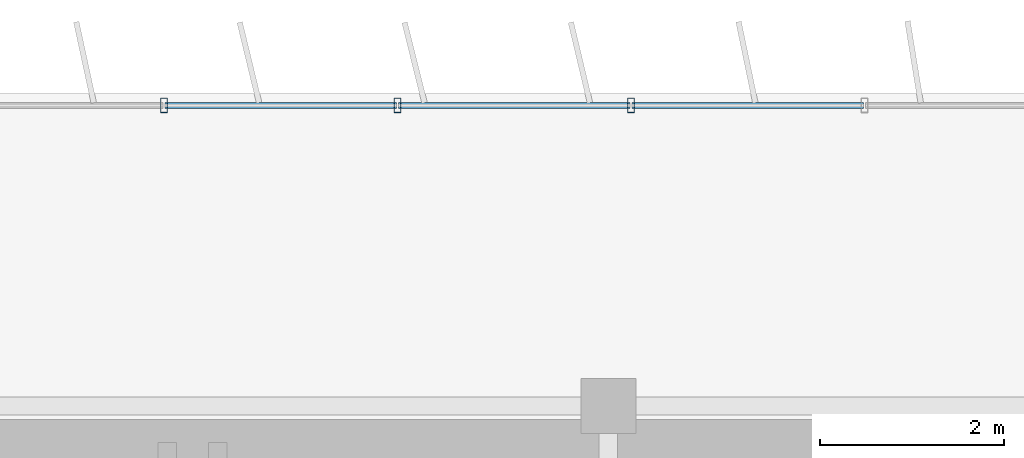
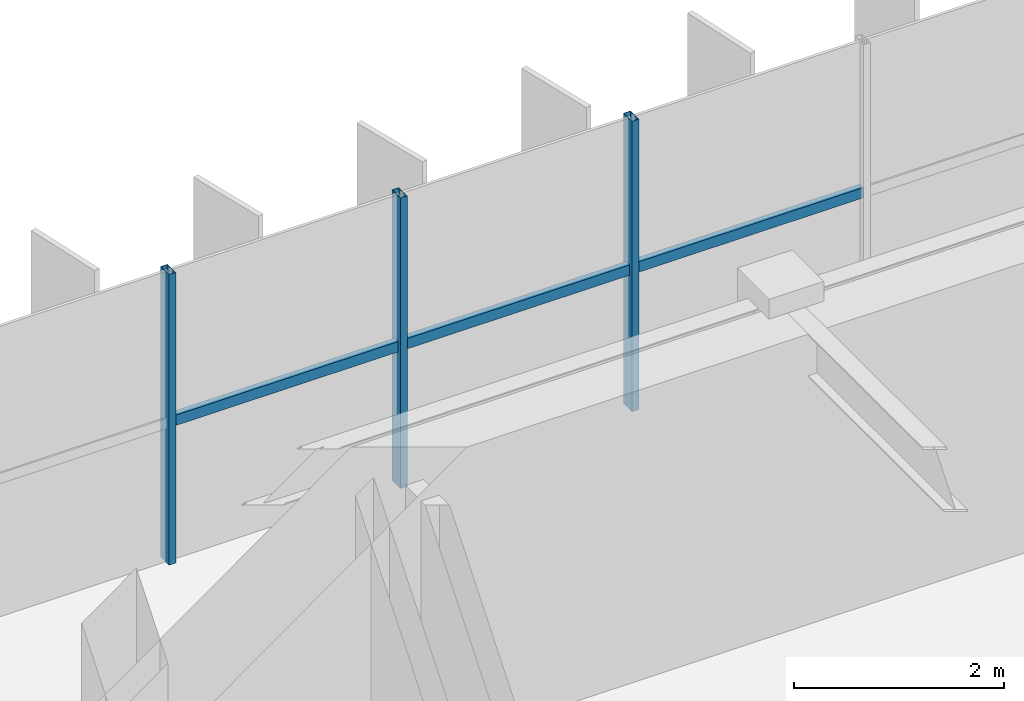
# One storey, part 8 of 22: 6 members, 1 element without a shape of its own.
"""IFC4 building model written with IfcOpenShell, lengths in metres."""

import ifcopenshell
import ifcopenshell.guid

model = None  # the IFC model being written
_history = None  # IfcOwnerHistory: only IFC2X3 demands one
_inside = {}  # id of a spatial element -> (the spatial element, [elements in it])
_under = {}  # id of a project, library or spatial element -> (it, [spatial elements below it])
_declared = {}  # id of a project -> (the project, [libraries it declares])
_typed = {}  # id of a type object -> (the type object, [elements of that type])
_made_of = {}  # id of a material, layer set ... -> (it, [elements and type objects made of it])


def new_model(schema):
    """Start an empty IFC model of exactly this schema.

    Asked for "IFC4X3", IfcOpenShell would pick the latest addendum, in which some entities
    have other attributes; the version numbers below select the first issue.
    IFC2X3 requires an IfcOwnerHistory on every rooted entity: one is made here for all.
    """
    global model, _history
    if schema == "IFC4X3":
        model = ifcopenshell.file(schema_version=(4, 3, 0, 0))
    else:
        model = ifcopenshell.file(schema=schema)
    _inside.clear()
    _under.clear()
    _declared.clear()
    _typed.clear()
    _made_of.clear()
    _history = None
    if model.schema == "IFC2X3":
        org = make("IfcOrganization", Name="unknown")
        user = make(
            "IfcPersonAndOrganization",
            ThePerson=make("IfcPerson", FamilyName="unknown"),
            TheOrganization=org,
        )
        app = make(
            "IfcApplication",
            ApplicationDeveloper=org,
            Version="unknown",
            ApplicationFullName="unknown",
            ApplicationIdentifier="unknown",
        )
        _history = make(
            "IfcOwnerHistory",
            OwningUser=user,
            OwningApplication=app,
            ChangeAction="ADDED",
            CreationDate=0,
        )
    return model


def make(cls, **values):
    """One entity of the class cls with the attributes given. An attribute that is None is left unset."""
    return model.create_entity(
        cls, **{name: value for name, value in values.items() if value is not None}
    )


def rooted(cls, **values):
    """An entity with a GlobalId (a new one), such as an element, a storey or a relation."""
    return make(cls, GlobalId=ifcopenshell.guid.new(), OwnerHistory=_history, **values)


def si_unit(unit_type, name, prefix=None):
    """IfcSIUnit, for example si_unit("LENGTHUNIT", "METRE", prefix="MILLI")."""
    return make("IfcSIUnit", UnitType=unit_type, Prefix=prefix, Name=name)


def assignment(units):
    """IfcUnitAssignment: the units of a project."""
    return None if units is None else make("IfcUnitAssignment", Units=units)


def point(xyz):
    """IfcCartesianPoint."""
    return None if xyz is None else make("IfcCartesianPoint", Coordinates=xyz)


def direction(xyz):
    """IfcDirection."""
    return None if xyz is None else make("IfcDirection", DirectionRatios=xyz)


def frame(location, z_axis=None, x_axis=None):
    """IfcAxis2Placement3D, a coordinate frame: its origin and axes. An axis left out is left unset."""
    return make(
        "IfcAxis2Placement3D",
        Location=point(location),
        Axis=direction(z_axis),
        RefDirection=direction(x_axis),
    )


def frame_2d(location, x_axis=None):
    """IfcAxis2Placement2D, a coordinate frame in the plane: its origin and x axis."""
    return make(
        "IfcAxis2Placement2D", Location=point(location), RefDirection=direction(x_axis)
    )


def origin():
    """The frame at (0, 0, 0) with its axes left unset."""
    return frame((0.0, 0.0, 0.0))


def origin_2d():
    """The frame at (0, 0) in the plane with its x axis left unset."""
    return frame_2d((0.0, 0.0))


def place(relative_to, where):
    """IfcLocalPlacement: puts the frame where relative to a parent placement (None: the world)."""
    return make(
        "IfcLocalPlacement", PlacementRelTo=relative_to, RelativePlacement=where
    )


def context(
    kind, dimensions, precision=None, world=None, true_north=None, identifier=None
):
    """IfcGeometricRepresentationContext, for example the 3D "Model" context."""
    return make(
        "IfcGeometricRepresentationContext",
        ContextIdentifier=identifier,
        ContextType=kind,
        CoordinateSpaceDimension=dimensions,
        Precision=precision,
        WorldCoordinateSystem=world,
        TrueNorth=true_north,
    )


def subcontext(parent, identifier, kind, view, scale=None):
    """IfcGeometricRepresentationSubContext, for example "Body" below "Model"."""
    return make(
        "IfcGeometricRepresentationSubContext",
        ContextIdentifier=identifier,
        ContextType=kind,
        ParentContext=parent,
        TargetScale=scale,
        TargetView=view,
    )


def project(units=None, contexts=None):
    """IfcProject with its units and contexts."""
    return rooted(
        "IfcProject",
        Name="project",
        RepresentationContexts=contexts,
        UnitsInContext=assignment(units),
    )


def spatial(cls, under=None, at=None, **own):
    """A site, building, storey or space (cls), placed at a placement, below another one or the project."""
    s = rooted(cls, ObjectPlacement=at, **own)
    if under is not None:
        _under.setdefault(under.id(), (under, []))[1].append(s)
    return s


def profile(cls, at=None, kind="AREA", **sizes):
    """A parametric profile (cls). Its sizes go by their IFC names, for example OverallWidth=200.0."""
    return make(cls, ProfileType=kind, Position=at, **sizes)


def hollow_rectangle(**sizes):
    """IfcRectangleHollowProfileDef."""
    return profile("IfcRectangleHollowProfileDef", **sizes)


def extrude(swept, where, along, depth):
    """IfcExtrudedAreaSolid: the profile swept, set in the frame where, extruded along a direction by depth."""
    return make(
        "IfcExtrudedAreaSolid",
        SweptArea=swept,
        Position=where,
        ExtrudedDirection=direction(along),
        Depth=depth,
    )


def shape(context_of_items, identifier, shape_type, items):
    """IfcShapeRepresentation: the items that make up one representation, for example the "Body"."""
    return make(
        "IfcShapeRepresentation",
        ContextOfItems=context_of_items,
        RepresentationIdentifier=identifier,
        RepresentationType=shape_type,
        Items=items,
    )


def source(mapping_origin, context_of_items, identifier, shape_type, items):
    """IfcRepresentationMap: a shape defined once, which mapped items show again and again."""
    return make(
        "IfcRepresentationMap",
        MappingOrigin=mapping_origin,
        MappedRepresentation=shape(context_of_items, identifier, shape_type, items),
    )


def transform(
    local_origin,
    x_axis=None,
    y_axis=None,
    z_axis=None,
    scale=None,
    scale2=None,
    scale3=None,
    uniform=True,
):
    """IfcCartesianTransformationOperator3D, or its non-uniform kind. x_axis, y_axis, z_axis: its Axis1, 2, 3."""
    if uniform:
        return make(
            "IfcCartesianTransformationOperator3D",
            Axis1=direction(x_axis),
            Axis2=direction(y_axis),
            LocalOrigin=point(local_origin),
            Scale=scale,
            Axis3=direction(z_axis),
        )
    return make(
        "IfcCartesianTransformationOperator3DnonUniform",
        Axis1=direction(x_axis),
        Axis2=direction(y_axis),
        LocalOrigin=point(local_origin),
        Scale=scale,
        Axis3=direction(z_axis),
        Scale2=scale2,
        Scale3=scale3,
    )


def mapped(mapping_source, mapping_target):
    """IfcMappedItem: shows the shape of a source again, moved by a transform."""
    return make(
        "IfcMappedItem", MappingSource=mapping_source, MappingTarget=mapping_target
    )


def material(Name=None, Category=None):
    """IfcMaterial."""
    return make("IfcMaterial", Name=Name, Category=Category)


def material_profile(
    of_material, cross_section, Name=None, Category=None, Priority=None
):
    """IfcMaterialProfile: a cross section and its material."""
    return make(
        "IfcMaterialProfile",
        Name=Name,
        Material=of_material,
        Profile=cross_section,
        Priority=Priority,
        Category=Category,
    )


def profile_set(profiles, Name=None, composite=None):
    """IfcMaterialProfileSet."""
    return make(
        "IfcMaterialProfileSet",
        Name=Name,
        MaterialProfiles=profiles,
        CompositeProfile=composite,
    )


def made_of(thing, what):
    """Note that an element or type object is made of a material, layer set ...; save() writes the relation."""
    if what is not None:
        _made_of.setdefault(what.id(), (what, []))[1].append(thing)
    return thing


def type_object(cls, material=None, **own):
    """A type object (cls), such as IfcWallType, which elements share."""
    return made_of(rooted(cls, **own), material)


def element(
    cls,
    number,
    at=None,
    inside=None,
    cuts=None,
    type_object=None,
    material=None,
    context=None,
    identifier="Body",
    shape_type=None,
    held_by="IfcProductDefinitionShape",
    body=None,
    shapes=None,
    **own,
):
    """One element of the class cls, such as IfcWall. Its Tag is "e" and its number.

    at: its placement. inside: the storey or other place that contains it. cuts: it is an
    opening in that element (IfcRelVoidsElement). A single representation is given by context,
    identifier, shape_type and body (its items); several are given by shapes. held_by: the class
    of the entity that holds the representations. save() writes the other relations.
    """
    e = rooted(cls, Tag="e%d" % number, ObjectPlacement=at, **own)
    if body is not None:
        shapes = [shape(context, identifier, shape_type, body)]
    if shapes is not None:
        e.Representation = make(held_by, Representations=shapes)
    if inside is not None:
        _inside.setdefault(inside.id(), (inside, []))[1].append(e)
    if cuts is not None:
        rooted(
            "IfcRelVoidsElement", RelatingBuildingElement=cuts, RelatedOpeningElement=e
        )
    if type_object is not None:
        _typed.setdefault(type_object.id(), (type_object, []))[1].append(e)
    return made_of(e, material)


def aggregate(whole, parts):
    """IfcRelAggregates: a whole, such as a stair, and the parts it consists of."""
    return rooted("IfcRelAggregates", RelatingObject=whole, RelatedObjects=parts)


def save(model, path):
    """Write the relations noted so far, then the file.

    IfcRelAggregates (storeys below a building ...), IfcRelContainedInSpatialStructure (elements
    in a storey), IfcRelDefinesByType, IfcRelAssociatesMaterial and IfcRelDeclares: one each for
    every whole, place, type object, material and project.
    """
    for whole, parts in _under.values():
        aggregate(whole, parts)
    for where, things in _inside.values():
        rooted(
            "IfcRelContainedInSpatialStructure",
            RelatedElements=things,
            RelatingStructure=where,
        )
    for kind, things in _typed.values():
        rooted("IfcRelDefinesByType", RelatedObjects=things, RelatingType=kind)
    for what, things in _made_of.values():
        rooted("IfcRelAssociatesMaterial", RelatedObjects=things, RelatingMaterial=what)
    for by, libraries in _declared.values():
        rooted("IfcRelDeclares", RelatingContext=by, RelatedDefinitions=libraries)
    model.write(path)


model = new_model("IFC4")

# Units and contexts
model_context = context("Model", 3, precision=1e-05, world=origin(), true_north=direction((0.0, 1.0)))
body_context = subcontext(model_context, "Body", "Model", "MODEL_VIEW")
ifc_project = project(units=[si_unit("LENGTHUNIT", "METRE"), si_unit("AREAUNIT", "SQUARE_METRE"), si_unit("VOLUMEUNIT", "CUBIC_METRE"), si_unit("PLANEANGLEUNIT", "RADIAN"), si_unit("MASSUNIT", "GRAM", prefix="KILO")], contexts=[model_context])

# Site, building, storey
site_placement = place(None, origin())
site = spatial("IfcSite", under=ifc_project, at=site_placement, CompositionType="ELEMENT")
building_placement = place(site_placement, origin())
building = spatial("IfcBuilding", under=site, at=building_placement, Name="Trelvane Seafront Commons", CompositionType="ELEMENT")
storey_placement = place(building_placement, frame((0.0, 0.0, 288.300048828125)))
storey = spatial("IfcBuildingStorey", under=building, at=storey_placement, Name="L75", CompositionType="ELEMENT", Elevation=288.300048828125)

# Curtain wall, members
ifc_material = material(Name="Anodised pale-silver aluminium", Category="aluminium")
curtain_wall_type = type_object("IfcCurtainWallType", Name="ARCH-CW5-UPTOWER", PredefinedType="NOTDEFINED", material=ifc_material)
curtain_wall_placement = place(storey_placement, origin())
curtain_wall = element("IfcCurtainWall", 1, at=curtain_wall_placement, inside=storey, type_object=curtain_wall_type, Name="CW-L75-0119", PredefinedType="NOTDEFINED")
ifc_material_profile_1 = material_profile(ifc_material, hollow_rectangle(XDim=0.070068359375, YDim=0.1201171875, WallThickness=0.00390625, at=origin_2d()), Name="TRAN-70x120x4")
ifc_profile_set_1 = profile_set([ifc_material_profile_1], Name="Anodised pale-silver aluminium")
member_type_1 = type_object("IfcMemberType", Name="ARCH-CW-TRAN-120", PredefinedType="USERDEFINED", material=ifc_profile_set_1)
shared_shape_1 = source(origin(), body_context, "Body", "SweptSolid", [
    extrude(hollow_rectangle(XDim=0.070068359375, YDim=0.1201171875, WallThickness=0.00390625, at=origin_2d()), origin(), (0.0, 0.0, 1.0), 2.51708984375),
])
member_1_placement = place(storey_placement, frame((30.859130859375, 48.3701171875, 1.617919921875), z_axis=(1.0, 0.0, 0.0), x_axis=(0.0, 1.0, 0.0)))
member_1 = element("IfcMember", 2, at=member_1_placement, type_object=member_type_1, Name="CW-L75-0119-T06", ObjectType="TRANSOM", PredefinedType="USERDEFINED", context=body_context, shape_type="MappedRepresentation", body=[
    mapped(shared_shape_1, transform((0.0, 0.0, 0.0), x_axis=(1.0, 0.0, 0.0), y_axis=(0.0, 1.0, 0.0), z_axis=(0.0, 0.0, 1.0), scale=1.0)),
])
shared_shape_2 = source(origin(), body_context, "Body", "SweptSolid", [
    extrude(hollow_rectangle(XDim=0.070068359375, YDim=0.1201171875, WallThickness=0.00390625, at=origin_2d()), origin(), (0.0, 0.0, 1.0), 2.517333984375),
])
member_2_placement = place(storey_placement, frame((25.776611328125, 48.3701171875, 1.617919921875), z_axis=(1.0, 0.0, 0.0), x_axis=(0.0, 1.0, 0.0)))
member_2 = element("IfcMember", 3, at=member_2_placement, type_object=member_type_1, Name="CW-L75-0119-T04", ObjectType="TRANSOM", PredefinedType="USERDEFINED", context=body_context, shape_type="MappedRepresentation", body=[
    mapped(shared_shape_2, transform((0.0, 0.0, 0.0), x_axis=(1.0, 0.0, 0.0), y_axis=(0.0, 1.0, 0.0), z_axis=(0.0, 0.0, 1.0), scale=1.0)),
])
member_3_placement = place(storey_placement, frame((28.31787109375, 48.3701171875, 1.617919921875), z_axis=(1.0, 0.0, 0.0), x_axis=(0.0, 1.0, 0.0)))
member_3 = element("IfcMember", 4, at=member_3_placement, type_object=member_type_1, Name="CW-L75-0119-T05", ObjectType="TRANSOM", PredefinedType="USERDEFINED", context=body_context, shape_type="MappedRepresentation", body=[
    mapped(shared_shape_2, transform((0.0, 0.0, 0.0), x_axis=(1.0, 0.0, 0.0), y_axis=(0.0, 1.0, 0.0), z_axis=(0.0, 0.0, 1.0), scale=1.0)),
])
ifc_material_profile_2 = material_profile(ifc_material, hollow_rectangle(XDim=0.074951171875, YDim=0.159912109375, WallThickness=0.00390625, at=origin_2d()), Name="MULL-75x160x4")
ifc_profile_set_2 = profile_set([ifc_material_profile_2], Name="Anodised pale-silver aluminium")
member_type_2 = type_object("IfcMemberType", Name="ARCH-CW-MULL-160", PredefinedType="MULLION", material=ifc_profile_set_2)
shared_shape_3 = source(origin(), body_context, "Body", "SweptSolid", [
    extrude(hollow_rectangle(XDim=0.074951171875, YDim=0.159912109375, WallThickness=0.00390625, at=origin_2d()), origin(), (0.0, 0.0, 1.0), 3.369873046875),
])
member_4_placement = place(storey_placement, frame((25.7646484375, 48.3701171875, 0.0), z_axis=(0.0, 0.0, 1.0), x_axis=(1.0, 0.0, 0.0)))
member_4 = element("IfcMember", 5, at=member_4_placement, type_object=member_type_2, Name="CW-L75-0119-M04", PredefinedType="MULLION", context=body_context, shape_type="MappedRepresentation", body=[
    mapped(shared_shape_3, transform((0.0, 0.0, 0.0), x_axis=(1.0, 0.0, 0.0), y_axis=(0.0, 1.0, 0.0), z_axis=(0.0, 0.0, 1.0), scale=1.0)),
])
member_5_placement = place(storey_placement, frame((28.305908203125, 48.3701171875, 0.0), z_axis=(0.0, 0.0, 1.0), x_axis=(1.0, 0.0, 0.0)))
member_5 = element("IfcMember", 6, at=member_5_placement, type_object=member_type_2, Name="CW-L75-0119-M05", PredefinedType="MULLION", context=body_context, shape_type="MappedRepresentation", body=[
    mapped(shared_shape_3, transform((0.0, 0.0, 0.0), x_axis=(1.0, 0.0, 0.0), y_axis=(0.0, 1.0, 0.0), z_axis=(0.0, 0.0, 1.0), scale=1.0)),
])
member_6_placement = place(storey_placement, frame((30.84716796875, 48.3701171875, 0.0), z_axis=(0.0, 0.0, 1.0), x_axis=(1.0, 0.0, 0.0)))
member_6 = element("IfcMember", 7, at=member_6_placement, type_object=member_type_2, Name="CW-L75-0119-M06", PredefinedType="MULLION", context=body_context, shape_type="MappedRepresentation", body=[
    mapped(shared_shape_3, transform((0.0, 0.0, 0.0), x_axis=(1.0, 0.0, 0.0), y_axis=(0.0, 1.0, 0.0), z_axis=(0.0, 0.0, 1.0), scale=1.0)),
])
aggregate(curtain_wall, [member_4, member_5, member_6, member_2, member_3, member_1])

save(model, "model.ifc")
